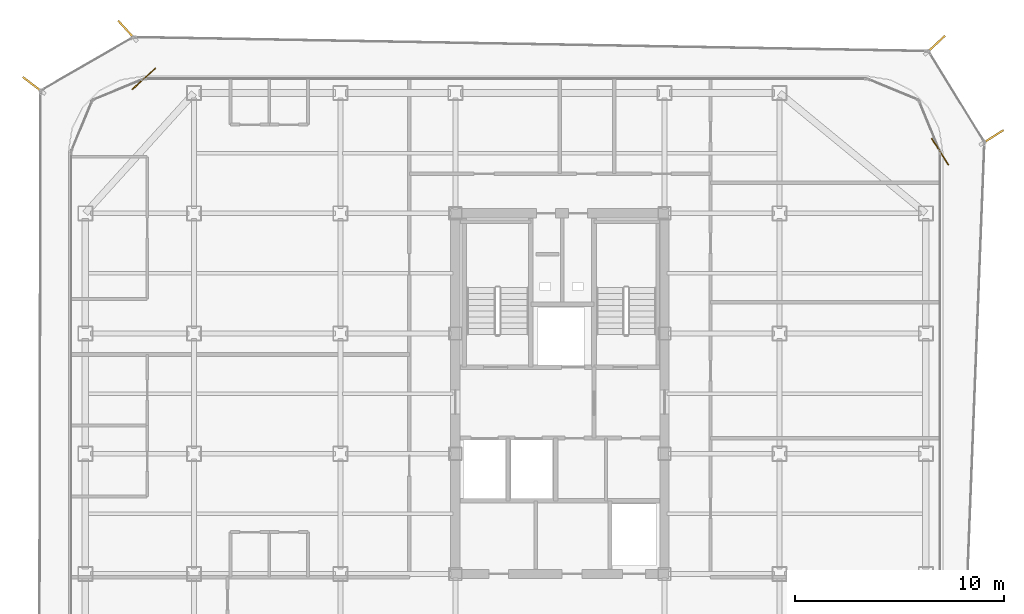
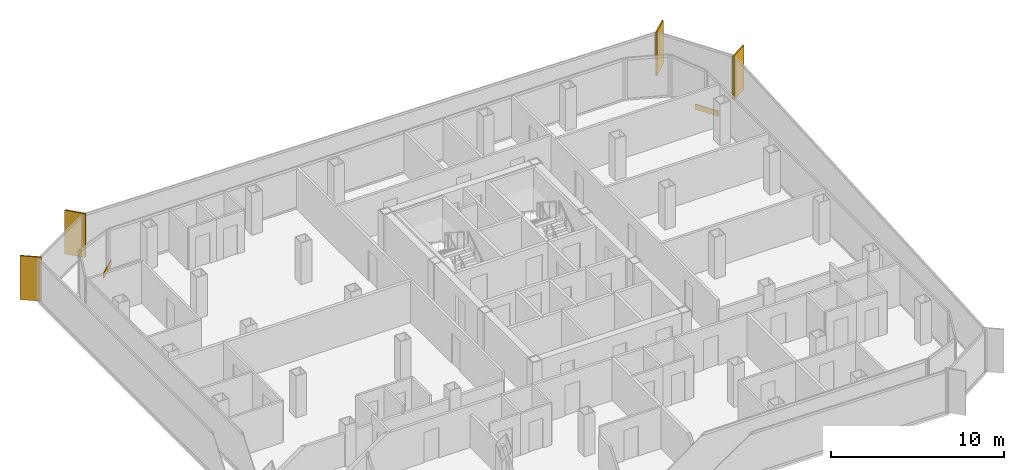
# One storey, part 16 of 16: 4 shading devices, 2 coverings.
"""IFC4 building model written with IfcOpenShell, lengths in metres."""

from ifc_helpers import new_model, si_unit, direction, frame, origin, origin_2d, place, context, subcontext, project, spatial, rectangle, extrude, source, transform, mapped, material, layer, layer_set, type_object, element, save


model = new_model("IFC4")

# Units and contexts
model_context = context("Model", 3, precision=1e-05, world=origin(), true_north=direction((0.0, 1.0)))
body_context = subcontext(model_context, "Body", "Model", "MODEL_VIEW")
ifc_project = project(units=[si_unit("LENGTHUNIT", "METRE"), si_unit("AREAUNIT", "SQUARE_METRE"), si_unit("VOLUMEUNIT", "CUBIC_METRE"), si_unit("PLANEANGLEUNIT", "RADIAN"), si_unit("MASSUNIT", "GRAM", prefix="KILO")], contexts=[model_context])

# Site, building, storey
site_placement = place(None, origin())
site = spatial("IfcSite", under=ifc_project, at=site_placement, CompositionType="ELEMENT")
building_placement = place(site_placement, origin())
building = spatial("IfcBuilding", under=site, at=building_placement, Name="Kolveth Station Tower", CompositionType="ELEMENT")
storey_placement = place(building_placement, frame((0.0, 0.0, 206.0)))
storey = spatial("IfcBuildingStorey", under=building, at=storey_placement, Name="L58", CompositionType="ELEMENT", Elevation=206.0)

# Shading devices
ifc_material_1 = material(Name="Black anodized aluminium 6063-T6", Category="aluminium")
shading_device_type = type_object("IfcShadingDeviceType", Name="FIN_VF1", PredefinedType="USERDEFINED", material=ifc_material_1)
shared_shape_1 = source(origin(), body_context, "Body", "SweptSolid", [
    extrude(rectangle(XDim=1.25, YDim=0.090087890625, at=origin_2d()), origin(), (0.0, 0.0, 1.0), 3.10009765625),
])
for number, where, z_axis, x_axis, name in (
    (1, (44.18603515625, 32.39501953125, 0.0), (0.0, 0.0, 1.0), (0.844888578952, 0.534942323205, 0.0), "L58 Dark-Aluminium Solar Fin 3"),
    (2, (41.4541015625, 36.81005859375, 0.0), (0.0, 0.0, 1.0), (0.731472721648, 0.681870704375, 0.0), "L58 Dark-Aluminium Solar Fin 4"),
    (3, (2.791015625, 37.501953125, 0.0), (0.0, 0.0, 1.0), (-0.673915640857, 0.738808303288, 0.0), "L58 Dark-Aluminium Solar Fin 5"),
    (4, (-1.68994140625, 34.886962890625, 0.0), (0.0, 0.0, 1.0), (-0.794944353388, 0.606682351002, 0.0), "L58 Dark-Aluminium Solar Fin 6"),
):
    element("IfcShadingDevice", number, at=place(storey_placement, frame(where, z_axis=z_axis, x_axis=x_axis)), inside=storey, type_object=shading_device_type, Name=name, ObjectType="FIN", PredefinedType="USERDEFINED", context=body_context, shape_type="MappedRepresentation", body=[
        mapped(shared_shape_1, transform((0.0, 0.0, 0.0), x_axis=(1.0, 0.0, 0.0), y_axis=(0.0, 1.0, 0.0), z_axis=(0.0, 0.0, 1.0), scale=1.0)),
    ])

# Coverings
ifc_material_2 = material(Name="Charcoal anodized aluminium spandrel cladding", Category="aluminium")
ifc_layer = layer(ifc_material_2, 0.044921875)
ifc_layer_set = layer_set([ifc_layer], Name="Charcoal anodized aluminium spandrel cladding")
covering_type = type_object("IfcCoveringType", Name="Clad_CD1", PredefinedType="CLADDING", material=ifc_layer_set)
shared_shape_2 = source(origin(), body_context, "Body", "SweptSolid", [
    extrude(rectangle(XDim=1.5, YDim=0.044921875, at=origin_2d()), origin(), (0.0, 0.0, 1.0), 0.360107421875),
])
for number, where, z_axis, x_axis, name in (
    (5, (41.679931640625, 31.699951171875, 0.0), (0.0, 0.0, 1.0), (-0.534942323205, 0.844888578952, 0.0), "L58 Spandrel Edge Cladding 3"),
    (6, (3.60009765625, 35.179931640625, 0.0), (0.0, 0.0, 1.0), (-0.738808303288, -0.673915640857, 0.0), "L58 Spandrel Edge Cladding 5"),
):
    element("IfcCovering", number, at=place(storey_placement, frame(where, z_axis=z_axis, x_axis=x_axis)), inside=storey, type_object=covering_type, Name=name, PredefinedType="CLADDING", context=body_context, shape_type="MappedRepresentation", body=[
        mapped(shared_shape_2, transform((0.0, 0.0, 0.0), x_axis=(1.0, 0.0, 0.0), y_axis=(0.0, 1.0, 0.0), z_axis=(0.0, 0.0, 1.0), scale=1.0)),
    ])

save(model, "model.ifc")
